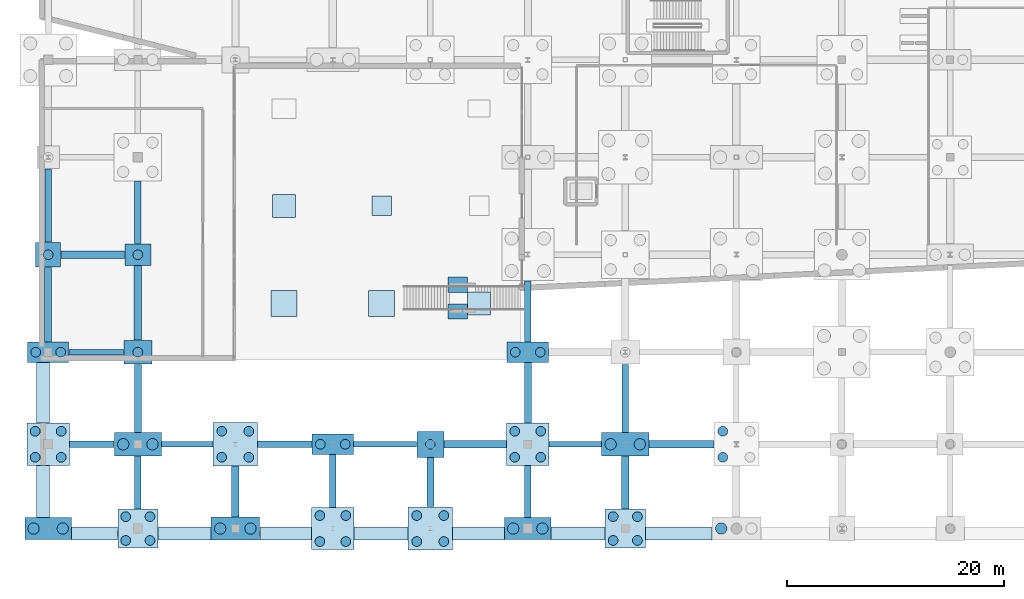
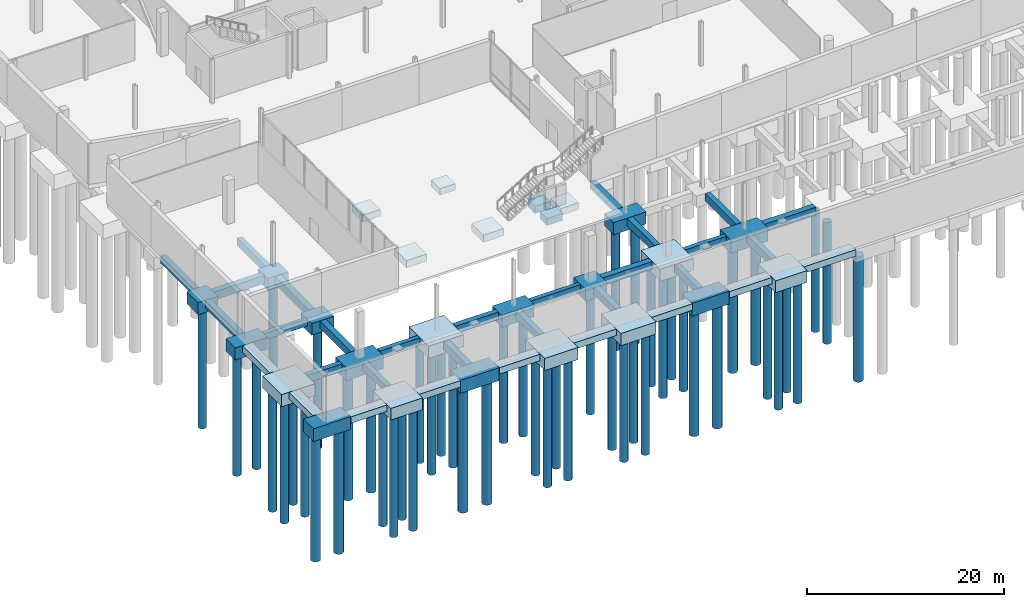
# One storey, part 1 of 60: 58 footings, 51 piles.
"""IFC4 building model written with IfcOpenShell, lengths in metres."""

from ifc_helpers import new_model, si_unit, direction, frame, origin, origin_2d, place, context, subcontext, project, spatial, rectangle, circle, extrude, material, material_profile, profile_set, type_object, element, save


model = new_model("IFC4")

# Units and contexts
model_context = context("Model", 3, precision=1e-05, world=origin(), true_north=direction((0.0, 1.0)))
body_context = subcontext(model_context, "Body", "Model", "MODEL_VIEW")
ifc_project = project(units=[si_unit("LENGTHUNIT", "METRE"), si_unit("AREAUNIT", "SQUARE_METRE"), si_unit("VOLUMEUNIT", "CUBIC_METRE"), si_unit("PLANEANGLEUNIT", "RADIAN"), si_unit("MASSUNIT", "GRAM", prefix="KILO")], contexts=[model_context])

# Site, building, storey
site_placement = place(None, origin())
site = spatial("IfcSite", under=ifc_project, at=site_placement, CompositionType="ELEMENT")
building_placement = place(site_placement, origin())
building = spatial("IfcBuilding", under=site, at=building_placement, Name="Trimount Lyric Opera House", CompositionType="ELEMENT")
storey_placement = place(building_placement, frame((0.0, 0.0, -5.39990234375)))
storey = spatial("IfcBuildingStorey", under=building, at=storey_placement, Name="B1", CompositionType="ELEMENT", Elevation=-5.39990234375)

# Footings
ifc_material_1 = material(Name="Concrete C40/50", Category="concrete")
footing_type_1 = type_object("IfcFootingType", Name="FB-01", PredefinedType="FOOTING_BEAM", material=ifc_material_1)
footing_1_placement = place(storey_placement, frame((4.8349609375, 26.0, -1.60009765625), z_axis=(0.0, 0.0, 1.0), x_axis=(1.0, 0.0, 0.0)))
element("IfcFooting", 1, at=footing_1_placement, inside=storey, type_object=footing_type_1, Name="Ground tie beam X-0004", PredefinedType="FOOTING_BEAM", context=body_context, shape_type="SweptSolid", body=[
    extrude(rectangle(XDim=5.89990234375, YDim=0.699951171875, at=origin_2d()), origin(), (0.0, 0.0, 1.0), 1.0),
])
footing_2_placement = place(storey_placement, frame((9.0, 21.550048828125, -1.60009765625), z_axis=(0.0, 0.0, 1.0), x_axis=(1.0, 0.0, 0.0)))
element("IfcFooting", 2, at=footing_2_placement, inside=storey, type_object=footing_type_1, Name="Ground tie beam Y-0028", PredefinedType="FOOTING_BEAM", context=body_context, shape_type="SweptSolid", body=[
    extrude(rectangle(XDim=0.699951171875, YDim=6.8701171875, at=origin_2d()), origin(), (0.0, 0.0, 1.0), 1.0),
])
footing_3_placement = place(storey_placement, frame((18.0, 4.135009765625, -1.60009765625), z_axis=(0.0, 0.0, 1.0), x_axis=(1.0, 0.0, 0.0)))
element("IfcFooting", 3, at=footing_3_placement, inside=storey, type_object=footing_type_1, Name="Ground tie beam Y-0048", PredefinedType="FOOTING_BEAM", context=body_context, shape_type="SweptSolid", body=[
    extrude(rectangle(XDim=0.699951171875, YDim=4.699951171875, at=origin_2d()), origin(), (0.0, 0.0, 1.0), 1.0),
])
footing_4_placement = place(storey_placement, frame((40.14990234375, 8.5, -1.60009765625), z_axis=(0.0, 0.0, 1.0), x_axis=(1.0, 0.0, 0.0)))
element("IfcFooting", 4, at=footing_4_placement, inside=storey, type_object=footing_type_1, Name="Ground tie beam X-0080", PredefinedType="FOOTING_BEAM", context=body_context, shape_type="SweptSolid", body=[
    extrude(rectangle(XDim=5.77001953125, YDim=0.699951171875, at=origin_2d()), origin(), (0.0, 0.0, 1.0), 1.0),
])
footing_5_placement = place(storey_placement, frame((59.1923828125, 8.5, -1.60009765625), z_axis=(0.0, 0.0, 1.0), x_axis=(1.0, 0.0, 0.0)))
element("IfcFooting", 5, at=footing_5_placement, inside=storey, type_object=footing_type_1, Name="Ground tie beam X-0120", PredefinedType="FOOTING_BEAM", context=body_context, shape_type="SweptSolid", body=[
    extrude(rectangle(XDim=6.0048828125, YDim=0.699951171875, at=origin_2d()), origin(), (0.0, 0.0, 1.0), 1.0),
])
ifc_material_2 = material(Name="Concrete C40/50", Category="concrete")
footing_type_2 = type_object("IfcFootingType", Name="FB-02", PredefinedType="FOOTING_BEAM", material=ifc_material_2)
footing_6_placement = place(storey_placement, frame((4.74755859375, 8.5, -1.5), z_axis=(0.0, 0.0, 1.0), x_axis=(1.0, 0.0, 0.0)))
element("IfcFooting", 6, at=footing_6_placement, inside=storey, type_object=footing_type_2, Name="Ground tie beam X-0001", PredefinedType="FOOTING_BEAM", context=body_context, shape_type="SweptSolid", body=[
    extrude(rectangle(XDim=4.125, YDim=0.60009765625, at=origin_2d()), origin(), (0.0, 0.0, 1.0), 0.89990234375),
])
footing_7_placement = place(storey_placement, frame((0.719970703125, 30.550048828125, -1.5), z_axis=(0.0, 0.0, 1.0), x_axis=(1.0, 0.0, 0.0)))
element("IfcFooting", 7, at=footing_7_placement, inside=storey, type_object=footing_type_2, Name="Ground tie beam Y-0005", PredefinedType="FOOTING_BEAM", context=body_context, shape_type="SweptSolid", body=[
    extrude(rectangle(XDim=0.60009765625, YDim=6.77001953125, at=origin_2d()), origin(), (0.0, 0.0, 1.0), 0.89990234375),
])
footing_8_placement = place(storey_placement, frame((9.0, 4.972412109375, -1.5), z_axis=(0.0, 0.0, 1.0), x_axis=(1.0, 0.0, 0.0)))
element("IfcFooting", 8, at=footing_8_placement, inside=storey, type_object=footing_type_2, Name="Ground tie beam Y-0025", PredefinedType="FOOTING_BEAM", context=body_context, shape_type="SweptSolid", body=[
    extrude(rectangle(XDim=0.60009765625, YDim=4.875, at=origin_2d()), origin(), (0.0, 0.0, 1.0), 0.89990234375),
])
footing_9_placement = place(storey_placement, frame((9.0, 29.89990234375, -1.5), z_axis=(0.0, 0.0, 1.0), x_axis=(1.0, 0.0, 0.0)))
element("IfcFooting", 9, at=footing_9_placement, inside=storey, type_object=footing_type_2, Name="Ground tie beam Y-0029", PredefinedType="FOOTING_BEAM", context=body_context, shape_type="SweptSolid", body=[
    extrude(rectangle(XDim=0.60009765625, YDim=5.77001953125, at=origin_2d()), origin(), (0.0, 0.0, 1.0), 0.89990234375),
])
footing_10_placement = place(storey_placement, frame((22.574951171875, 8.5, -1.5), z_axis=(0.0, 0.0, 1.0), x_axis=(1.0, 0.0, 0.0)))
element("IfcFooting", 10, at=footing_10_placement, inside=storey, type_object=footing_type_2, Name="Ground tie beam X-0049", PredefinedType="FOOTING_BEAM", context=body_context, shape_type="SweptSolid", body=[
    extrude(rectangle(XDim=5.02001953125, YDim=0.60009765625, at=origin_2d()), origin(), (0.0, 0.0, 1.0), 0.89990234375),
])
footing_11_placement = place(storey_placement, frame((27.0, 5.110107421875, -1.5), z_axis=(0.0, 0.0, 1.0), x_axis=(1.0, 0.0, 0.0)))
element("IfcFooting", 11, at=footing_11_placement, inside=storey, type_object=footing_type_2, Name="Ground tie beam Y-0065", PredefinedType="FOOTING_BEAM", context=body_context, shape_type="SweptSolid", body=[
    extrude(rectangle(XDim=0.60009765625, YDim=4.85009765625, at=origin_2d()), origin(), (0.0, 0.0, 1.0), 0.89990234375),
])
footing_12_placement = place(storey_placement, frame((45.0, 4.135009765625, -1.5), z_axis=(0.0, 0.0, 1.0), x_axis=(1.0, 0.0, 0.0)))
element("IfcFooting", 12, at=footing_12_placement, inside=storey, type_object=footing_type_2, Name="Ground tie beam Y-0093", PredefinedType="FOOTING_BEAM", context=body_context, shape_type="SweptSolid", body=[
    extrude(rectangle(XDim=0.60009765625, YDim=4.800048828125, at=origin_2d()), origin(), (0.0, 0.0, 1.0), 0.89990234375),
])
footing_13_placement = place(storey_placement, frame((45.0, 20.77490234375, -1.5), z_axis=(0.0, 0.0, 1.0), x_axis=(1.0, 0.0, 0.0)))
element("IfcFooting", 13, at=footing_13_placement, inside=storey, type_object=footing_type_2, Name="Ground tie beam Y-0097", PredefinedType="FOOTING_BEAM", context=body_context, shape_type="SweptSolid", body=[
    extrude(rectangle(XDim=0.60009765625, YDim=5.6201171875, at=origin_2d()), origin(), (0.0, 0.0, 1.0), 0.89990234375),
])
footing_14_placement = place(storey_placement, frame((54.0, 12.737548828125, -1.5), z_axis=(0.0, 0.0, 1.0), x_axis=(1.0, 0.0, 0.0)))
element("IfcFooting", 14, at=footing_14_placement, inside=storey, type_object=footing_type_2, Name="Ground tie beam Y-0121", PredefinedType="FOOTING_BEAM", context=body_context, shape_type="SweptSolid", body=[
    extrude(rectangle(XDim=0.60009765625, YDim=6.294921875, at=origin_2d()), origin(), (0.0, 0.0, 1.0), 0.89990234375),
])
ifc_material_3 = material(Name="Concrete C40/50", Category="concrete")
footing_type_3 = type_object("IfcFootingType", Name="FB-03", PredefinedType="FOOTING_BEAM", material=ifc_material_3)
footing_15_placement = place(storey_placement, frame((5.159912109375, 17.0, -1.39990234375), z_axis=(0.0, 0.0, 1.0), x_axis=(1.0, 0.0, 0.0)))
element("IfcFooting", 15, at=footing_15_placement, inside=storey, type_object=footing_type_3, Name="Ground tie beam X-0002", PredefinedType="FOOTING_BEAM", context=body_context, shape_type="SweptSolid", body=[
    extrude(rectangle(XDim=5.050048828125, YDim=0.5, at=origin_2d()), origin(), (0.0, 0.0, 1.0), 0.800048828125),
])
footing_16_placement = place(storey_placement, frame((13.5625, 8.5, -1.39990234375), z_axis=(0.0, 0.0, 1.0), x_axis=(1.0, 0.0, 0.0)))
element("IfcFooting", 16, at=footing_16_placement, inside=storey, type_object=footing_type_3, Name="Ground tie beam X-0026", PredefinedType="FOOTING_BEAM", context=body_context, shape_type="SweptSolid", body=[
    extrude(rectangle(XDim=4.7451171875, YDim=0.5, at=origin_2d()), origin(), (0.0, 0.0, 1.0), 0.800048828125),
])
footing_17_placement = place(storey_placement, frame((31.824951171875, 8.5, -1.39990234375), z_axis=(0.0, 0.0, 1.0), x_axis=(1.0, 0.0, 0.0)))
element("IfcFooting", 17, at=footing_17_placement, inside=storey, type_object=footing_type_3, Name="Ground tie beam X-0066", PredefinedType="FOOTING_BEAM", context=body_context, shape_type="SweptSolid", body=[
    extrude(rectangle(XDim=5.820068359375, YDim=0.5, at=origin_2d()), origin(), (0.0, 0.0, 1.0), 0.800048828125),
])
footing_18_placement = place(storey_placement, frame((49.387451171875, 8.5, -1.39990234375), z_axis=(0.0, 0.0, 1.0), x_axis=(1.0, 0.0, 0.0)))
element("IfcFooting", 18, at=footing_18_placement, inside=storey, type_object=footing_type_3, Name="Ground tie beam X-0094", PredefinedType="FOOTING_BEAM", context=body_context, shape_type="SweptSolid", body=[
    extrude(rectangle(XDim=4.844970703125, YDim=0.5, at=origin_2d()), origin(), (0.0, 0.0, 1.0), 0.800048828125),
])
ifc_material_4 = material(Name="Concrete C40/50", Category="concrete")
footing_type_4 = type_object("IfcFootingType", Name="FB-04", PredefinedType="FOOTING_BEAM", material=ifc_material_4)
footing_19_placement = place(storey_placement, frame((0.719970703125, 21.39990234375, -1.55029296875), z_axis=(0.0, 0.0, 1.0), x_axis=(1.0, 0.0, 0.0)))
element("IfcFooting", 19, at=footing_19_placement, inside=storey, type_object=footing_type_4, Name="Ground tie beam Y-0003", PredefinedType="FOOTING_BEAM", context=body_context, shape_type="SweptSolid", body=[
    extrude(rectangle(XDim=0.64990234375, YDim=6.8701171875, at=origin_2d()), origin(), (0.0, 0.0, 1.0), 0.949951171875),
])
footing_20_placement = place(storey_placement, frame((9.0, 12.737548828125, -1.55029296875), z_axis=(0.0, 0.0, 1.0), x_axis=(1.0, 0.0, 0.0)))
element("IfcFooting", 20, at=footing_20_placement, inside=storey, type_object=footing_type_4, Name="Ground tie beam Y-0027", PredefinedType="FOOTING_BEAM", context=body_context, shape_type="SweptSolid", body=[
    extrude(rectangle(XDim=0.64990234375, YDim=6.294921875, at=origin_2d()), origin(), (0.0, 0.0, 1.0), 0.949951171875),
])
footing_21_placement = place(storey_placement, frame((36.0, 5.010009765625, -1.55029296875), z_axis=(0.0, 0.0, 1.0), x_axis=(1.0, 0.0, 0.0)))
element("IfcFooting", 21, at=footing_21_placement, inside=storey, type_object=footing_type_4, Name="Ground tie beam Y-0079", PredefinedType="FOOTING_BEAM", context=body_context, shape_type="SweptSolid", body=[
    extrude(rectangle(XDim=0.64990234375, YDim=4.550048828125, at=origin_2d()), origin(), (0.0, 0.0, 1.0), 0.949951171875),
])
footing_22_placement = place(storey_placement, frame((45.0, 13.25, -1.55029296875), z_axis=(0.0, 0.0, 1.0), x_axis=(1.0, 0.0, 0.0)))
element("IfcFooting", 22, at=footing_22_placement, inside=storey, type_object=footing_type_4, Name="Ground tie beam Y-0095", PredefinedType="FOOTING_BEAM", context=body_context, shape_type="SweptSolid", body=[
    extrude(rectangle(XDim=0.64990234375, YDim=5.570068359375, at=origin_2d()), origin(), (0.0, 0.0, 1.0), 0.949951171875),
])
footing_23_placement = place(storey_placement, frame((54.0, 4.972412109375, -1.55029296875), z_axis=(0.0, 0.0, 1.0), x_axis=(1.0, 0.0, 0.0)))
element("IfcFooting", 23, at=footing_23_placement, inside=storey, type_object=footing_type_4, Name="Ground tie beam Y-0119", PredefinedType="FOOTING_BEAM", context=body_context, shape_type="SweptSolid", body=[
    extrude(rectangle(XDim=0.64990234375, YDim=4.875, at=origin_2d()), origin(), (0.0, 0.0, 1.0), 0.949951171875),
])
ifc_material_5 = material(Name="Concrete C40/50", Category="concrete")
footing_type_5 = type_object("IfcFootingType", Name="PC-05", PredefinedType="PILE_CAP", material=ifc_material_5)
for number, where, z_axis, x_axis, name in (
    (24, (0.719970703125, 0.719970703125, -2.2001953125), (0.0, 0.0, 1.0), (1.0, 0.0, 0.0), "Pile cap 1/A"),
    (25, (45.0, 0.719970703125, -2.2001953125), (0.0, 0.0, 1.0), (1.0, 0.0, 0.0), "Pile cap 6/A"),
):
    element("IfcFooting", number, at=place(storey_placement, frame(where, z_axis=z_axis, x_axis=x_axis)), inside=storey, type_object=footing_type_5, Name=name, PredefinedType="PILE_CAP", context=body_context, shape_type="SweptSolid", body=[
        extrude(rectangle(XDim=4.300048828125, YDim=2.0, at=origin_2d()), origin(), (0.0, 0.0, 1.0), 1.60009765625),
    ])
ifc_material_6 = material(Name="Concrete C40/50", Category="concrete")
footing_type_6 = type_object("IfcFootingType", Name="PC-06", PredefinedType="PILE_CAP", material=ifc_material_6)
for number, where, z_axis, x_axis, name in (
    (26, (0.719970703125, 8.5, -2.10009765625), (0.0, 0.0, 1.0), (1.0, 0.0, 0.0), "Pile cap 1/B"),
    (27, (27.0, 0.719970703125, -2.10009765625), (0.0, 0.0, 1.0), (1.0, 0.0, 0.0), "Pile cap 4/A"),
    (28, (45.0, 8.5, -2.10009765625), (0.0, 0.0, 1.0), (1.0, 0.0, 0.0), "Pile cap 6/B"),
):
    element("IfcFooting", number, at=place(storey_placement, frame(where, z_axis=z_axis, x_axis=x_axis)), inside=storey, type_object=footing_type_6, Name=name, PredefinedType="PILE_CAP", context=body_context, shape_type="SweptSolid", body=[
        extrude(rectangle(XDim=3.89990234375, YDim=3.89990234375, at=origin_2d()), origin(), (0.0, 0.0, 1.0), 1.5),
    ])
ifc_material_7 = material(Name="Concrete C40/50", Category="concrete")
footing_type_7 = type_object("IfcFootingType", Name="PC-07", PredefinedType="PILE_CAP", material=ifc_material_7)
for number, where, z_axis, x_axis, name in (
    (29, (0.719970703125, 17.0, -2.10009765625), (0.0, 0.0, 1.0), (1.0, 0.0, 0.0), "Pile cap 1/C"),
    (30, (27.0, 8.5, -2.10009765625), (0.0, 0.0, 1.0), (1.0, 0.0, 0.0), "Pile cap 4/B"),
    (31, (45.0, 17.0, -2.10009765625), (0.0, 0.0, 1.0), (1.0, 0.0, 0.0), "Pile cap 6/C"),
):
    element("IfcFooting", number, at=place(storey_placement, frame(where, z_axis=z_axis, x_axis=x_axis)), inside=storey, type_object=footing_type_7, Name=name, PredefinedType="PILE_CAP", context=body_context, shape_type="SweptSolid", body=[
        extrude(rectangle(XDim=3.800048828125, YDim=1.89990234375, at=origin_2d()), origin(), (0.0, 0.0, 1.0), 1.5),
    ])
ifc_material_8 = material(Name="Concrete C40/50", Category="concrete")
footing_type_8 = type_object("IfcFootingType", Name="PC-08", PredefinedType="PILE_CAP", material=ifc_material_8)
footing_24_placement = place(storey_placement, frame((0.719970703125, 26.0, -2.10009765625), z_axis=(0.0, 0.0, 1.0), x_axis=(1.0, 0.0, 0.0)))
element("IfcFooting", 32, at=footing_24_placement, inside=storey, type_object=footing_type_8, Name="Pile cap 1/D", PredefinedType="PILE_CAP", context=body_context, shape_type="SweptSolid", body=[
    extrude(rectangle(XDim=2.300048828125, YDim=2.300048828125, at=origin_2d()), origin(), (0.0, 0.0, 1.0), 1.5),
])
ifc_material_9 = material(Name="Concrete C40/50", Category="concrete")
footing_type_9 = type_object("IfcFootingType", Name="PC-14", PredefinedType="PILE_CAP", material=ifc_material_9)
footing_25_placement = place(storey_placement, frame((18.0, 0.719970703125, -2.2001953125), z_axis=(0.0, 0.0, 1.0), x_axis=(1.0, 0.0, 0.0)))
element("IfcFooting", 33, at=footing_25_placement, inside=storey, type_object=footing_type_9, Name="Pile cap 3/A", PredefinedType="PILE_CAP", context=body_context, shape_type="SweptSolid", body=[
    extrude(rectangle(XDim=4.5, YDim=2.10009765625, at=origin_2d()), origin(), (0.0, 0.0, 1.0), 1.60009765625),
])
ifc_material_10 = material(Name="Concrete C40/50", Category="concrete")
footing_type_10 = type_object("IfcFootingType", Name="PC-15", PredefinedType="PILE_CAP", material=ifc_material_10)
for number, where, z_axis, x_axis, name in (
    (34, (18.0, 8.5, -2.10009765625), (0.0, 0.0, 1.0), (1.0, 0.0, 0.0), "Pile cap 3/B"),
    (35, (36.0, 0.719970703125, -2.10009765625), (0.0, 0.0, 1.0), (1.0, 0.0, 0.0), "Pile cap 5/A"),
):
    element("IfcFooting", number, at=place(storey_placement, frame(where, z_axis=z_axis, x_axis=x_axis)), inside=storey, type_object=footing_type_10, Name=name, PredefinedType="PILE_CAP", context=body_context, shape_type="SweptSolid", body=[
        extrude(rectangle(XDim=4.10009765625, YDim=4.0, at=origin_2d()), origin(), (0.0, 0.0, 1.0), 1.5),
    ])
ifc_material_11 = material(Name="Concrete C40/50", Category="concrete")
footing_type_11 = type_object("IfcFootingType", Name="PC-16", PredefinedType="PILE_CAP", material=ifc_material_11)
footing_26_placement = place(storey_placement, frame((36.0, 8.5, -2.10009765625), z_axis=(0.0, 0.0, 1.0), x_axis=(1.0, 0.0, 0.0)))
element("IfcFooting", 36, at=footing_26_placement, inside=storey, type_object=footing_type_11, Name="Pile cap 5/B", PredefinedType="PILE_CAP", context=body_context, shape_type="SweptSolid", body=[
    extrude(rectangle(XDim=2.5, YDim=2.39990234375, at=origin_2d()), origin(), (0.0, 0.0, 1.0), 1.5),
])
ifc_material_12 = material(Name="Concrete C40/50", Category="concrete")
footing_type_12 = type_object("IfcFootingType", Name="PC-19", PredefinedType="PILE_CAP", material=ifc_material_12)
for number, where, z_axis, x_axis, name in (
    (37, (9.0, 0.719970703125, -2.05029296875), (0.0, 0.0, 1.0), (1.0, 0.0, 0.0), "Pile cap 2/A"),
    (38, (54.0, 0.719970703125, -2.05029296875), (0.0, 0.0, 1.0), (1.0, 0.0, 0.0), "Pile cap 7/A"),
):
    element("IfcFooting", number, at=place(storey_placement, frame(where, z_axis=z_axis, x_axis=x_axis)), inside=storey, type_object=footing_type_12, Name=name, PredefinedType="PILE_CAP", context=body_context, shape_type="SweptSolid", body=[
        extrude(rectangle(XDim=3.699951171875, YDim=3.60009765625, at=origin_2d()), origin(), (0.0, 0.0, 1.0), 1.449951171875),
    ])
ifc_material_13 = material(Name="Concrete C40/50", Category="concrete")
footing_type_13 = type_object("IfcFootingType", Name="PC-20", PredefinedType="PILE_CAP", material=ifc_material_13)
for number, where, z_axis, x_axis, name in (
    (39, (9.0, 8.5, -2.25), (0.0, 0.0, 1.0), (1.0, 0.0, 0.0), "Pile cap 2/B"),
    (40, (54.0, 8.5, -2.25), (0.0, 0.0, 1.0), (1.0, 0.0, 0.0), "Pile cap 7/B"),
):
    element("IfcFooting", number, at=place(storey_placement, frame(where, z_axis=z_axis, x_axis=x_axis)), inside=storey, type_object=footing_type_13, Name=name, PredefinedType="PILE_CAP", context=body_context, shape_type="SweptSolid", body=[
        extrude(rectangle(XDim=4.35009765625, YDim=2.14990234375, at=origin_2d()), origin(), (0.0, 0.0, 1.0), 1.64990234375),
    ])
ifc_material_14 = material(Name="Concrete C40/50", Category="concrete")
footing_type_14 = type_object("IfcFootingType", Name="PC-21", PredefinedType="PILE_CAP", material=ifc_material_14)
footing_27_placement = place(storey_placement, frame((9.0, 17.0, -2.05029296875), z_axis=(0.0, 0.0, 1.0), x_axis=(1.0, 0.0, 0.0)))
element("IfcFooting", 41, at=footing_27_placement, inside=storey, type_object=footing_type_14, Name="Pile cap 2/C", PredefinedType="PILE_CAP", context=body_context, shape_type="SweptSolid", body=[
    extrude(rectangle(XDim=2.60009765625, YDim=2.199951171875, at=origin_2d()), origin(), (0.0, 0.0, 1.0), 1.449951171875),
])
ifc_material_15 = material(Name="Concrete C40/50", Category="concrete")
footing_type_15 = type_object("IfcFootingType", Name="PC-22", PredefinedType="PILE_CAP", material=ifc_material_15)
footing_28_placement = place(storey_placement, frame((9.0, 26.0, -2.0), z_axis=(0.0, 0.0, 1.0), x_axis=(1.0, 0.0, 0.0)))
element("IfcFooting", 42, at=footing_28_placement, inside=storey, type_object=footing_type_15, Name="Pile cap 2/D", PredefinedType="PILE_CAP", context=body_context, shape_type="SweptSolid", body=[
    extrude(rectangle(XDim=2.39990234375, YDim=2.0, at=origin_2d()), origin(), (0.0, 0.0, 1.0), 1.39990234375),
])
ifc_material_16 = material(Name="Concrete C40/50", Category="concrete")
footing_type_16 = type_object("IfcFootingType", Name="PF-01", PredefinedType="PAD_FOOTING", material=ifc_material_16)
for number, where, z_axis, x_axis, name in (
    (43, (22.5, 21.5, -1.150146484375), (0.0, 0.0, 1.0), (1.0, 0.0, 0.0), "Forecourt pad footing PF-PLZ-01"),
    (44, (31.5, 21.5, -1.150146484375), (0.0, 0.0, 1.0), (1.0, 0.0, 0.0), "Forecourt pad footing PF-PLZ-02"),
):
    element("IfcFooting", number, at=place(storey_placement, frame(where, z_axis=z_axis, x_axis=x_axis)), inside=storey, type_object=footing_type_16, Name=name, PredefinedType="PAD_FOOTING", context=body_context, shape_type="SweptSolid", body=[
        extrude(rectangle(XDim=2.39990234375, YDim=2.39990234375, at=origin_2d()), origin(), (0.0, 0.0, 1.0), 0.89990234375),
    ])
ifc_material_17 = material(Name="Concrete C40/50", Category="concrete")
footing_type_17 = type_object("IfcFootingType", Name="PF-02", PredefinedType="PAD_FOOTING", material=ifc_material_17)
for number, where, z_axis, x_axis, name in (
    (45, (40.5, 21.5, -1.10009765625), (0.0, 0.0, 1.0), (1.0, 0.0, 0.0), "Forecourt pad footing PF-PLZ-03"),
    (46, (22.5, 30.5, -1.10009765625), (0.0, 0.0, 1.0), (1.0, 0.0, 0.0), "Forecourt pad footing PF-PLZ-04"),
):
    element("IfcFooting", number, at=place(storey_placement, frame(where, z_axis=z_axis, x_axis=x_axis)), inside=storey, type_object=footing_type_17, Name=name, PredefinedType="PAD_FOOTING", context=body_context, shape_type="SweptSolid", body=[
        extrude(rectangle(XDim=2.10009765625, YDim=2.10009765625, at=origin_2d()), origin(), (0.0, 0.0, 1.0), 0.85009765625),
    ])
ifc_material_18 = material(Name="Concrete C40/50", Category="concrete")
footing_type_18 = type_object("IfcFootingType", Name="PF-03", PredefinedType="PAD_FOOTING", material=ifc_material_18)
footing_29_placement = place(storey_placement, frame((31.5, 30.5, -1.05029296875), z_axis=(0.0, 0.0, 1.0), x_axis=(1.0, 0.0, 0.0)))
element("IfcFooting", 47, at=footing_29_placement, inside=storey, type_object=footing_type_18, Name="Forecourt pad footing PF-PLZ-05", PredefinedType="PAD_FOOTING", context=body_context, shape_type="SweptSolid", body=[
    extrude(rectangle(XDim=1.800048828125, YDim=1.800048828125, at=origin_2d()), origin(), (0.0, 0.0, 1.0), 0.800048828125),
])

# Piles
ifc_material_19 = material(Name="Concrete C40/50", Category="concrete")
ifc_material_profile_1 = material_profile(ifc_material_19, circle(Radius=0.52490234375, at=origin_2d()), Name="PILE-D1050")
ifc_profile_set_1 = profile_set([ifc_material_profile_1], Name="Concrete C40/50")
pile_type_1 = type_object("IfcPileType", Name="PL-1050", PredefinedType="BORED", material=ifc_profile_set_1)
for number, where, z_axis, x_axis, name in (
    (48, (-0.6298828125, 0.719970703125, -2.10009765625), (0.0, 0.0, -1.0), (1.0, 0.0, 0.0), "Bored pile 0001"),
    (49, (2.070068359375, 0.719970703125, -2.10009765625), (0.0, 0.0, -1.0), (1.0, 0.0, 0.0), "Bored pile 0002"),
    (50, (7.64990234375, 8.5, -2.150146484375), (0.0, 0.0, -1.0), (1.0, 0.0, 0.0), "Bored pile 0046"),
    (51, (10.35009765625, 8.5, -2.150146484375), (0.0, 0.0, -1.0), (1.0, 0.0, 0.0), "Bored pile 0047"),
    (52, (16.60009765625, 0.719970703125, -2.10009765625), (0.0, 0.0, -1.0), (1.0, 0.0, 0.0), "Bored pile 0080"),
    (53, (19.39990234375, 0.719970703125, -2.10009765625), (0.0, 0.0, -1.0), (1.0, 0.0, 0.0), "Bored pile 0081"),
    (54, (43.64990234375, 0.719970703125, -2.10009765625), (0.0, 0.0, -1.0), (1.0, 0.0, 0.0), "Bored pile 0164"),
    (55, (46.35009765625, 0.719970703125, -2.10009765625), (0.0, 0.0, -1.0), (1.0, 0.0, 0.0), "Bored pile 0165"),
    (56, (52.64990234375, 8.5, -2.150146484375), (0.0, 0.0, -1.0), (1.0, 0.0, 0.0), "Bored pile 0213"),
    (57, (55.35009765625, 8.5, -2.150146484375), (0.0, 0.0, -1.0), (1.0, 0.0, 0.0), "Bored pile 0214"),
    (58, (62.860107421875, 0.719970703125, -2.10009765625), (0.0, 0.0, -1.0), (1.0, 0.0, 0.0), "Bored pile 0250"),
):
    element("IfcPile", number, at=place(storey_placement, frame(where, z_axis=z_axis, x_axis=x_axis)), inside=storey, type_object=pile_type_1, Name=name, PredefinedType="BORED", context=body_context, shape_type="SweptSolid", body=[
        extrude(circle(Radius=0.52490234375, at=origin_2d()), origin(), (0.0, 0.0, 1.0), 15.5),
    ])
ifc_material_20 = material(Name="Concrete C40/50", Category="concrete")
ifc_material_profile_2 = material_profile(ifc_material_20, circle(Radius=0.449951171875, at=origin_2d()), Name="PILE-D900")
ifc_profile_set_2 = profile_set([ifc_material_profile_2], Name="Concrete C40/50")
pile_type_2 = type_object("IfcPileType", Name="PL-900", PredefinedType="BORED", material=ifc_profile_set_2)
for number, where, z_axis, x_axis, name in (
    (59, (-0.47998046875, 7.300048828125, -2.0), (0.0, 0.0, -1.0), (1.0, 0.0, 0.0), "Bored pile 0003"),
    (60, (1.919921875, 7.300048828125, -2.0), (0.0, 0.0, -1.0), (1.0, 0.0, 0.0), "Bored pile 0004"),
    (61, (-0.47998046875, 9.699951171875, -2.0), (0.0, 0.0, -1.0), (1.0, 0.0, 0.0), "Bored pile 0005"),
    (62, (1.919921875, 9.699951171875, -2.0), (0.0, 0.0, -1.0), (1.0, 0.0, 0.0), "Bored pile 0006"),
    (63, (-0.429931640625, 17.0, -2.0), (0.0, 0.0, -1.0), (1.0, 0.0, 0.0), "Bored pile 0007"),
    (64, (1.8701171875, 17.0, -2.0), (0.0, 0.0, -1.0), (1.0, 0.0, 0.0), "Bored pile 0008"),
    (65, (0.719970703125, 26.0, -2.0), (0.0, 0.0, -1.0), (1.0, 0.0, 0.0), "Bored pile 0009"),
    (66, (7.8798828125, -0.3798828125, -1.9501953125), (0.0, 0.0, -1.0), (1.0, 0.0, 0.0), "Bored pile 0042"),
    (67, (10.1201171875, -0.3798828125, -1.9501953125), (0.0, 0.0, -1.0), (1.0, 0.0, 0.0), "Bored pile 0043"),
    (68, (7.8798828125, 1.820068359375, -1.9501953125), (0.0, 0.0, -1.0), (1.0, 0.0, 0.0), "Bored pile 0044"),
    (69, (10.1201171875, 1.820068359375, -1.9501953125), (0.0, 0.0, -1.0), (1.0, 0.0, 0.0), "Bored pile 0045"),
    (70, (9.0, 17.0, -1.9501953125), (0.0, 0.0, -1.0), (1.0, 0.0, 0.0), "Bored pile 0048"),
    (71, (9.0, 26.0, -1.900146484375), (0.0, 0.0, -1.0), (1.0, 0.0, 0.0), "Bored pile 0049"),
    (72, (16.75, 7.300048828125, -2.0), (0.0, 0.0, -1.0), (1.0, 0.0, 0.0), "Bored pile 0082"),
    (73, (19.25, 7.300048828125, -2.0), (0.0, 0.0, -1.0), (1.0, 0.0, 0.0), "Bored pile 0083"),
    (74, (16.75, 9.699951171875, -2.0), (0.0, 0.0, -1.0), (1.0, 0.0, 0.0), "Bored pile 0084"),
    (75, (19.25, 9.699951171875, -2.0), (0.0, 0.0, -1.0), (1.0, 0.0, 0.0), "Bored pile 0085"),
    (76, (25.800048828125, -0.47998046875, -2.0), (0.0, 0.0, -1.0), (1.0, 0.0, 0.0), "Bored pile 0109"),
    (77, (28.199951171875, -0.47998046875, -2.0), (0.0, 0.0, -1.0), (1.0, 0.0, 0.0), "Bored pile 0110"),
    (78, (25.800048828125, 1.919921875, -2.0), (0.0, 0.0, -1.0), (1.0, 0.0, 0.0), "Bored pile 0111"),
    (79, (28.199951171875, 1.919921875, -2.0), (0.0, 0.0, -1.0), (1.0, 0.0, 0.0), "Bored pile 0112"),
    (80, (25.85009765625, 8.5, -2.0), (0.0, 0.0, -1.0), (1.0, 0.0, 0.0), "Bored pile 0113"),
    (81, (28.14990234375, 8.5, -2.0), (0.0, 0.0, -1.0), (1.0, 0.0, 0.0), "Bored pile 0114"),
    (82, (34.75, -0.47998046875, -2.0), (0.0, 0.0, -1.0), (1.0, 0.0, 0.0), "Bored pile 0139"),
    (83, (37.25, -0.47998046875, -2.0), (0.0, 0.0, -1.0), (1.0, 0.0, 0.0), "Bored pile 0140"),
    (84, (34.75, 1.919921875, -2.0), (0.0, 0.0, -1.0), (1.0, 0.0, 0.0), "Bored pile 0141"),
    (85, (37.25, 1.919921875, -2.0), (0.0, 0.0, -1.0), (1.0, 0.0, 0.0), "Bored pile 0142"),
    (86, (36.0, 8.5, -2.0), (0.0, 0.0, -1.0), (1.0, 0.0, 0.0), "Bored pile 0143"),
    (87, (43.800048828125, 7.300048828125, -2.0), (0.0, 0.0, -1.0), (1.0, 0.0, 0.0), "Bored pile 0166"),
    (88, (46.199951171875, 7.300048828125, -2.0), (0.0, 0.0, -1.0), (1.0, 0.0, 0.0), "Bored pile 0167"),
    (89, (43.800048828125, 9.699951171875, -2.0), (0.0, 0.0, -1.0), (1.0, 0.0, 0.0), "Bored pile 0168"),
    (90, (46.199951171875, 9.699951171875, -2.0), (0.0, 0.0, -1.0), (1.0, 0.0, 0.0), "Bored pile 0169"),
    (91, (43.85009765625, 17.0, -2.0), (0.0, 0.0, -1.0), (1.0, 0.0, 0.0), "Bored pile 0170"),
    (92, (46.14990234375, 17.0, -2.0), (0.0, 0.0, -1.0), (1.0, 0.0, 0.0), "Bored pile 0171"),
    (93, (52.8798828125, -0.3798828125, -1.9501953125), (0.0, 0.0, -1.0), (1.0, 0.0, 0.0), "Bored pile 0209"),
    (94, (55.1201171875, -0.3798828125, -1.9501953125), (0.0, 0.0, -1.0), (1.0, 0.0, 0.0), "Bored pile 0210"),
    (95, (52.8798828125, 1.820068359375, -1.9501953125), (0.0, 0.0, -1.0), (1.0, 0.0, 0.0), "Bored pile 0211"),
    (96, (55.1201171875, 1.820068359375, -1.9501953125), (0.0, 0.0, -1.0), (1.0, 0.0, 0.0), "Bored pile 0212"),
    (97, (63.010009765625, 7.300048828125, -2.0), (0.0, 0.0, -1.0), (1.0, 0.0, 0.0), "Bored pile 0252"),
    (98, (63.010009765625, 9.699951171875, -2.0), (0.0, 0.0, -1.0), (1.0, 0.0, 0.0), "Bored pile 0254"),
):
    element("IfcPile", number, at=place(storey_placement, frame(where, z_axis=z_axis, x_axis=x_axis)), inside=storey, type_object=pile_type_2, Name=name, PredefinedType="BORED", context=body_context, shape_type="SweptSolid", body=[
        extrude(circle(Radius=0.449951171875, at=origin_2d()), origin(), (0.0, 0.0, 1.0), 15.0),
    ])

# Footings
ifc_material_21 = material(Name="Concrete C40/50", Category="concrete")
footing_type_19 = type_object("IfcFootingType", Name="SF-01", PredefinedType="STRIP_FOOTING", material=ifc_material_21)
for number, where, z_axis, x_axis, name in (
    (99, (38.532470703125, 20.764892578125, -1.5), (0.0, 0.0, 1.0), (1.0, 0.0, 0.0), "Sunken Metro Forecourt Grand Stair fin pier strip footing S"),
    (100, (38.532470703125, 23.235107421875, -1.5), (0.0, 0.0, 1.0), (1.0, 0.0, 0.0), "Sunken Metro Forecourt Grand Stair fin pier strip footing N"),
):
    element("IfcFooting", number, at=place(storey_placement, frame(where, z_axis=z_axis, x_axis=x_axis)), inside=storey, type_object=footing_type_19, Name=name, PredefinedType="STRIP_FOOTING", context=body_context, shape_type="SweptSolid", body=[
        extrude(rectangle(XDim=1.804931640625, YDim=1.39990234375, at=origin_2d()), origin(), (0.0, 0.0, 1.0), 0.89990234375),
    ])
ifc_material_22 = material(Name="Concrete C40/50", Category="concrete")
footing_type_20 = type_object("IfcFootingType", Name="SF-02", PredefinedType="STRIP_FOOTING", material=ifc_material_22)
footing_30_placement = place(storey_placement, frame((5.010009765625, 0.25, -1.39990234375), z_axis=(0.0, 0.0, 1.0), x_axis=(1.0, 0.0, 0.0)))
element("IfcFooting", 101, at=footing_30_placement, inside=storey, type_object=footing_type_20, Name="Plaza perimeter plinth strip footing PLINTH-S1 seg 1", PredefinedType="STRIP_FOOTING", context=body_context, shape_type="SweptSolid", body=[
    extrude(rectangle(XDim=4.25, YDim=1.199951171875, at=origin_2d()), origin(), (0.0, 0.0, 1.0), 0.800048828125),
])
footing_31_placement = place(storey_placement, frame((13.300048828125, 0.25, -1.39990234375), z_axis=(0.0, 0.0, 1.0), x_axis=(1.0, 0.0, 0.0)))
element("IfcFooting", 102, at=footing_31_placement, inside=storey, type_object=footing_type_20, Name="Plaza perimeter plinth strip footing PLINTH-S1 seg 2", PredefinedType="STRIP_FOOTING", context=body_context, shape_type="SweptSolid", body=[
    extrude(rectangle(XDim=4.8701171875, YDim=1.199951171875, at=origin_2d()), origin(), (0.0, 0.0, 1.0), 0.800048828125),
])
footing_32_placement = place(storey_placement, frame((22.64990234375, 0.25, -1.39990234375), z_axis=(0.0, 0.0, 1.0), x_axis=(1.0, 0.0, 0.0)))
element("IfcFooting", 103, at=footing_32_placement, inside=storey, type_object=footing_type_20, Name="Plaza perimeter plinth strip footing PLINTH-S1 seg 3", PredefinedType="STRIP_FOOTING", context=body_context, shape_type="SweptSolid", body=[
    extrude(rectangle(XDim=4.77001953125, YDim=1.199951171875, at=origin_2d()), origin(), (0.0, 0.0, 1.0), 0.800048828125),
])
footing_33_placement = place(storey_placement, frame((31.449951171875, 0.25, -1.39990234375), z_axis=(0.0, 0.0, 1.0), x_axis=(1.0, 0.0, 0.0)))
element("IfcFooting", 104, at=footing_33_placement, inside=storey, type_object=footing_type_20, Name="Plaza perimeter plinth strip footing PLINTH-S1 seg 4", PredefinedType="STRIP_FOOTING", context=body_context, shape_type="SweptSolid", body=[
    extrude(rectangle(XDim=4.969970703125, YDim=1.199951171875, at=origin_2d()), origin(), (0.0, 0.0, 1.0), 0.800048828125),
])
footing_34_placement = place(storey_placement, frame((40.449951171875, 0.25, -1.39990234375), z_axis=(0.0, 0.0, 1.0), x_axis=(1.0, 0.0, 0.0)))
element("IfcFooting", 105, at=footing_34_placement, inside=storey, type_object=footing_type_20, Name="Plaza perimeter plinth strip footing PLINTH-S1 seg 5", PredefinedType="STRIP_FOOTING", context=body_context, shape_type="SweptSolid", body=[
    extrude(rectangle(XDim=4.77001953125, YDim=1.199951171875, at=origin_2d()), origin(), (0.0, 0.0, 1.0), 0.800048828125),
])
footing_35_placement = place(storey_placement, frame((49.64990234375, 0.25, -1.39990234375), z_axis=(0.0, 0.0, 1.0), x_axis=(1.0, 0.0, 0.0)))
element("IfcFooting", 106, at=footing_35_placement, inside=storey, type_object=footing_type_20, Name="Plaza perimeter plinth strip footing PLINTH-S1 seg 6", PredefinedType="STRIP_FOOTING", context=body_context, shape_type="SweptSolid", body=[
    extrude(rectangle(XDim=4.969970703125, YDim=1.199951171875, at=origin_2d()), origin(), (0.0, 0.0, 1.0), 0.800048828125),
])
footing_36_placement = place(storey_placement, frame((58.929931640625, 0.25, -1.39990234375), z_axis=(0.0, 0.0, 1.0), x_axis=(1.0, 0.0, 0.0)))
element("IfcFooting", 107, at=footing_36_placement, inside=storey, type_object=footing_type_20, Name="Plaza perimeter plinth strip footing PLINTH-S1 seg 7", PredefinedType="STRIP_FOOTING", context=body_context, shape_type="SweptSolid", body=[
    extrude(rectangle(XDim=6.1298828125, YDim=1.199951171875, at=origin_2d()), origin(), (0.0, 0.0, 1.0), 0.800048828125),
])
footing_37_placement = place(storey_placement, frame((0.25, 4.135009765625, -1.39990234375), z_axis=(0.0, 0.0, 1.0), x_axis=(1.0, 0.0, 0.0)))
element("IfcFooting", 108, at=footing_37_placement, inside=storey, type_object=footing_type_20, Name="Plaza perimeter plinth strip footing PLINTH-W1 seg 1", PredefinedType="STRIP_FOOTING", context=body_context, shape_type="SweptSolid", body=[
    extrude(rectangle(XDim=1.199951171875, YDim=4.800048828125, at=origin_2d()), origin(), (0.0, 0.0, 1.0), 0.800048828125),
])
footing_38_placement = place(storey_placement, frame((0.25, 13.25, -1.39990234375), z_axis=(0.0, 0.0, 1.0), x_axis=(1.0, 0.0, 0.0)))
element("IfcFooting", 109, at=footing_38_placement, inside=storey, type_object=footing_type_20, Name="Plaza perimeter plinth strip footing PLINTH-W1 seg 2", PredefinedType="STRIP_FOOTING", context=body_context, shape_type="SweptSolid", body=[
    extrude(rectangle(XDim=1.199951171875, YDim=5.570068359375, at=origin_2d()), origin(), (0.0, 0.0, 1.0), 0.800048828125),
])

save(model, "model.ifc")
